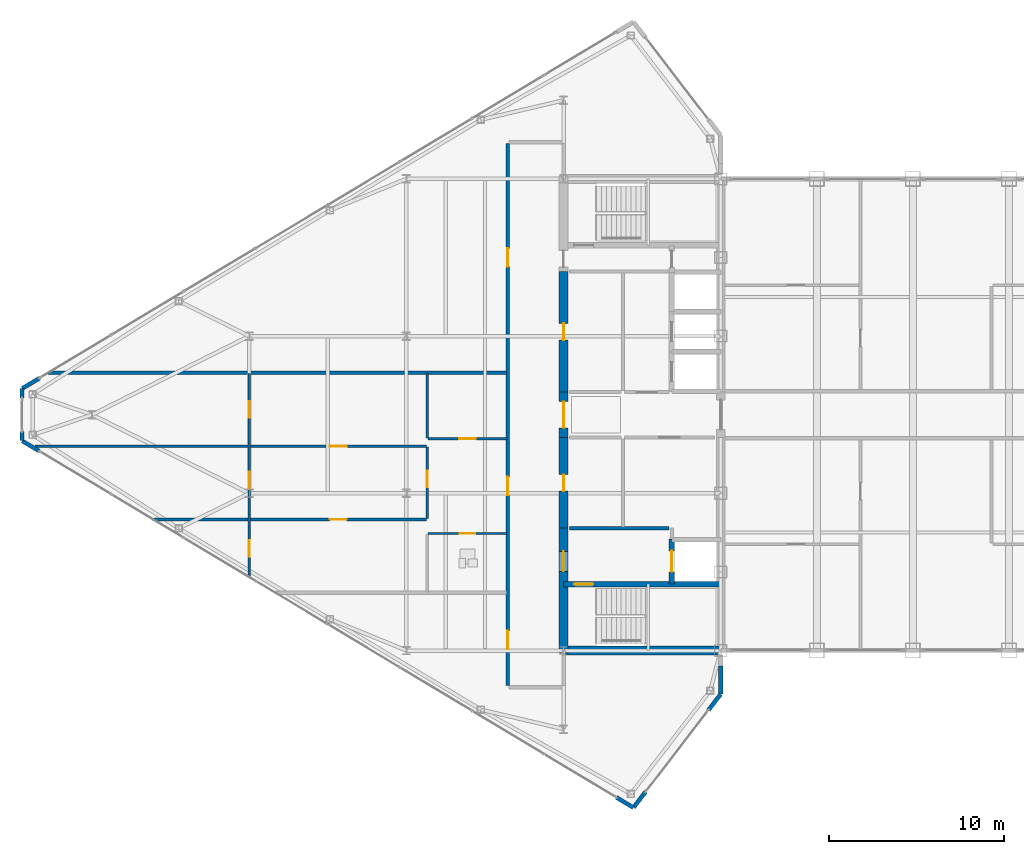
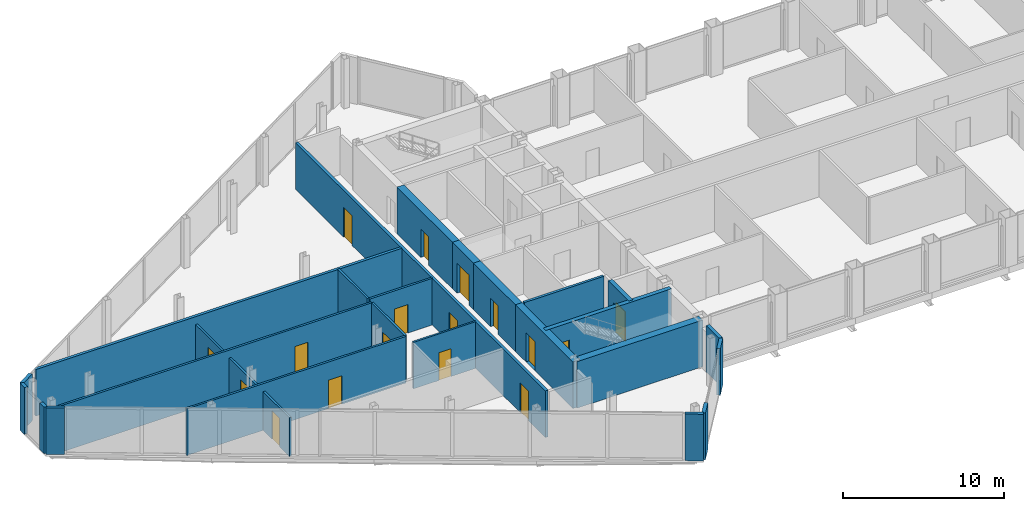
# One storey, part 21 of 29: 25 walls, 17 doors, 17 openings.
"""IFC4 building model written with IfcOpenShell, lengths in metres."""

from ifc_helpers import new_model, si_unit, direction, frame, frame_2d, origin, place, context, subcontext, project, spatial, rectangle, extrude, source, transform, mapped, material, layer, layer_set, type_object, type_shapes, element, fill, save


model = new_model("IFC4")

# Units and contexts
model_context = context("Model", 3, precision=1e-05, world=origin(), true_north=direction((0.0, 1.0)))
body_context = subcontext(model_context, "Body", "Model", "MODEL_VIEW")
ifc_project = project(units=[si_unit("LENGTHUNIT", "METRE"), si_unit("AREAUNIT", "SQUARE_METRE"), si_unit("VOLUMEUNIT", "CUBIC_METRE"), si_unit("PLANEANGLEUNIT", "RADIAN"), si_unit("MASSUNIT", "GRAM", prefix="KILO")], contexts=[model_context])

# Site, building, storey
site_placement = place(None, origin())
site = spatial("IfcSite", under=ifc_project, at=site_placement, CompositionType="ELEMENT")
building_placement = place(site_placement, origin())
building = spatial("IfcBuilding", under=site, at=building_placement, Name="Seokmaru Belvedere", CompositionType="ELEMENT")
storey_placement = place(building_placement, frame((0.0, 0.0, 246.89990234375)))
storey = spatial("IfcBuildingStorey", under=building, at=storey_placement, Name="L65", CompositionType="ELEMENT", Elevation=246.89990234375)

# Wall, opening, door
ifc_material_1 = material(Name="Fire-Rated Gypsum Shaftwall")
ifc_layer_1 = layer(ifc_material_1, 0.14990234375)
ifc_layer_set_1 = layer_set([ifc_layer_1], Name="Fire-Rated Gypsum Shaftwall")
wall_type_1 = type_object("IfcWallType", Name="Apartment Fire-Acoustic Room Partition 150", PredefinedType="PARTITIONING", material=ifc_layer_set_1)
wall_1_placement = place(storey_placement, frame((-60.034912109375, -6.0, 0.0), z_axis=(0.0, 0.0, 1.0), x_axis=(1.0, 0.0, 0.0)))
wall_1 = element("IfcWall", 1, at=wall_1_placement, inside=storey, type_object=wall_type_1, Name="L65 Interior Partition 009", PredefinedType="PARTITIONING", context=body_context, shape_type="SweptSolid", body=[
    extrude(rectangle(XDim=15.684814453125, YDim=0.14990234375, at=frame_2d((7.84228515625, 0.0))), origin(), (0.0, 0.0, 1.0), 3.530029296875),
])
opening_1_placement = place(wall_1_placement, frame((10.159912109375, 0.0, 0.0)))
opening_1 = element("IfcOpeningElement", 2, at=opening_1_placement, cuts=wall_1, Name="Opening D05", PredefinedType="OPENING", context=body_context, shape_type="SweptSolid", body=[
    extrude(rectangle(XDim=0.949951171875, YDim=2.14990234375, at=frame_2d((0.47509765625, 1.074951171875))), frame((0.0, 0.0849609375, 0.0), z_axis=(0.0, -1.0, 0.0), x_axis=(1.0, 0.0, 0.0)), (0.0, 0.0, 1.0), 0.169921875),
])
ifc_material_2 = material(Name="Engineered White Oak Timber", Category="wood")
door_type_1 = type_object("IfcDoorType", Name="Apartment Interior Fire-Rated Oak Door 950x2150", OperationType="NOTDEFINED", PredefinedType="DOOR", material=ifc_material_2)
shared_shape_1 = source(origin(), body_context, "Body", "SweptSolid", [
    extrude(rectangle(XDim=0.949951171875, YDim=2.14990234375, at=frame_2d((0.47509765625, 1.074951171875))), frame((0.0, 0.02490234375, 0.0), z_axis=(0.0, -1.0, 0.0), x_axis=(1.0, 0.0, 0.0)), (0.0, 0.0, 1.0), 0.050048828125),
])
type_shapes(door_type_1, [shared_shape_1])
door_1_placement = place(opening_1_placement, origin())
door_1 = element("IfcDoor", 3, at=door_1_placement, inside=storey, type_object=door_type_1, Name="L65 Interior Door 007", OperationType="SINGLE_SWING_LEFT", OverallHeight=2.14990234375, OverallWidth=0.949951171875, PredefinedType="DOOR", context=body_context, shape_type="MappedRepresentation", body=[
    mapped(shared_shape_1, transform((0.0, 0.0, 0.0), scale=1.0)),
])
fill(opening_1, door_1)

wall_2_placement = place(storey_placement, frame((-66.757080078125, -1.800048828125, 0.0), z_axis=(0.0, 0.0, 1.0), x_axis=(1.0, 0.0, 0.0)))
wall_2 = element("IfcWall", 4, at=wall_2_placement, inside=storey, type_object=wall_type_1, Name="L65 Interior Partition 013", PredefinedType="PARTITIONING", context=body_context, shape_type="SweptSolid", body=[
    extrude(rectangle(XDim=22.406982421875, YDim=0.14990234375, at=frame_2d((11.20361328125, 0.0))), origin(), (0.0, 0.0, 1.0), 3.530029296875),
])
opening_2_placement = place(wall_2_placement, frame((16.882080078125, 0.0, 0.0)))
opening_2 = element("IfcOpeningElement", 5, at=opening_2_placement, cuts=wall_2, Name="Opening D05", PredefinedType="OPENING", context=body_context, shape_type="SweptSolid", body=[
    extrude(rectangle(XDim=0.949951171875, YDim=2.14990234375, at=frame_2d((0.47509765625, 1.074951171875))), frame((0.0, 0.0849609375, 0.0), z_axis=(0.0, -1.0, 0.0), x_axis=(1.0, 0.0, 0.0)), (0.0, 0.0, 1.0), 0.169921875),
])
door_2_placement = place(opening_2_placement, origin())
door_2 = element("IfcDoor", 6, at=door_2_placement, inside=storey, type_object=door_type_1, Name="L65 Interior Door 008", OperationType="SINGLE_SWING_RIGHT", OverallHeight=2.14990234375, OverallWidth=0.949951171875, PredefinedType="DOOR", context=body_context, shape_type="MappedRepresentation", body=[
    mapped(shared_shape_1, transform((0.0, 0.0, 0.0), scale=1.0)),
])
fill(opening_2, door_2)

wall_3_placement = place(storey_placement, frame((-44.25, -1.3798828125, 0.0), z_axis=(0.0, 0.0, 1.0), x_axis=(1.0, 0.0, 0.0)))
wall_3 = element("IfcWall", 7, at=wall_3_placement, inside=storey, type_object=wall_type_1, Name="L65 Interior Partition 014", PredefinedType="PARTITIONING", context=body_context, shape_type="SweptSolid", body=[
    extrude(rectangle(XDim=4.5, YDim=0.14990234375, at=frame_2d((2.25, 0.0))), origin(), (0.0, 0.0, 1.0), 3.530029296875),
])
opening_3_placement = place(wall_3_placement, frame((1.77490234375, 0.0, 0.0)))
opening_3 = element("IfcOpeningElement", 8, at=opening_3_placement, cuts=wall_3, Name="Opening D05", PredefinedType="OPENING", context=body_context, shape_type="SweptSolid", body=[
    extrude(rectangle(XDim=0.949951171875, YDim=2.14990234375, at=frame_2d((0.47509765625, 1.074951171875))), frame((0.0, 0.0849609375, 0.0), z_axis=(0.0, -1.0, 0.0), x_axis=(1.0, 0.0, 0.0)), (0.0, 0.0, 1.0), 0.169921875),
])
door_3_placement = place(opening_3_placement, origin())
door_3 = element("IfcDoor", 9, at=door_3_placement, inside=storey, type_object=door_type_1, Name="L65 Interior Door 004", OperationType="SINGLE_SWING_LEFT", OverallHeight=2.14990234375, OverallWidth=0.949951171875, PredefinedType="DOOR", context=body_context, shape_type="MappedRepresentation", body=[
    mapped(shared_shape_1, transform((0.0, 0.0, 0.0), scale=1.0)),
])
fill(opening_3, door_3)

# Wall, openings, doors
wall_4_placement = place(storey_placement, frame((-54.5, -9.3349609375, 0.0), z_axis=(0.0, 0.0, 1.0), x_axis=(0.0, 1.0, 0.0)))
wall_4 = element("IfcWall", 10, at=wall_4_placement, inside=storey, type_object=wall_type_1, Name="L65 Interior Partition 027", PredefinedType="PARTITIONING", context=body_context, shape_type="SweptSolid", body=[
    extrude(rectangle(XDim=11.68505859375, YDim=0.14990234375, at=frame_2d((5.842529296875, 0.0))), origin(), (0.0, 0.0, 1.0), 2.93017578125),
])
opening_4_placement = place(wall_4_placement, frame((5.106689453125, 0.0, 0.0)))
opening_4 = element("IfcOpeningElement", 11, at=opening_4_placement, cuts=wall_4, Name="Opening D05", PredefinedType="OPENING", context=body_context, shape_type="SweptSolid", body=[
    extrude(rectangle(XDim=0.949951171875, YDim=2.14990234375, at=frame_2d((0.47509765625, 1.074951171875))), frame((0.0, 0.0849609375, 0.0), z_axis=(0.0, -1.0, 0.0), x_axis=(1.0, 0.0, 0.0)), (0.0, 0.0, 1.0), 0.169921875),
])
opening_5_placement = place(wall_4_placement, frame((1.2099609375, 0.0, 0.0)))
opening_5 = element("IfcOpeningElement", 12, at=opening_5_placement, cuts=wall_4, Name="Opening D05", PredefinedType="OPENING", context=body_context, shape_type="SweptSolid", body=[
    extrude(rectangle(XDim=0.949951171875, YDim=2.14990234375, at=frame_2d((0.47509765625, 1.074951171875))), frame((0.0, 0.0849609375, 0.0), z_axis=(0.0, -1.0, 0.0), x_axis=(1.0, 0.0, 0.0)), (0.0, 0.0, 1.0), 0.169921875),
])
opening_6_placement = place(wall_4_placement, frame((9.159912109375, 0.0, 0.0)))
opening_6 = element("IfcOpeningElement", 13, at=opening_6_placement, cuts=wall_4, Name="Opening D05", PredefinedType="OPENING", context=body_context, shape_type="SweptSolid", body=[
    extrude(rectangle(XDim=0.949951171875, YDim=2.14990234375, at=frame_2d((0.47509765625, 1.074951171875))), frame((0.0, 0.0849609375, 0.0), z_axis=(0.0, -1.0, 0.0), x_axis=(1.0, 0.0, 0.0)), (0.0, 0.0, 1.0), 0.169921875),
])
door_4_placement = place(opening_4_placement, origin())
door_4 = element("IfcDoor", 14, at=door_4_placement, inside=storey, type_object=door_type_1, Name="L65 Interior Door 006", OperationType="SINGLE_SWING_LEFT", OverallHeight=2.14990234375, OverallWidth=0.949951171875, PredefinedType="DOOR", context=body_context, shape_type="MappedRepresentation", body=[
    mapped(shared_shape_1, transform((0.0, 0.0, 0.0), scale=1.0)),
])
fill(opening_4, door_4)
door_5_placement = place(opening_5_placement, origin())
door_5 = element("IfcDoor", 15, at=door_5_placement, inside=storey, type_object=door_type_1, Name="L65 Interior Door 009", OperationType="SINGLE_SWING_RIGHT", OverallHeight=2.14990234375, OverallWidth=0.949951171875, PredefinedType="DOOR", context=body_context, shape_type="MappedRepresentation", body=[
    mapped(shared_shape_1, transform((0.0, 0.0, 0.0), scale=1.0)),
])
fill(opening_5, door_5)
door_6_placement = place(opening_6_placement, origin())
door_6 = element("IfcDoor", 16, at=door_6_placement, inside=storey, type_object=door_type_1, Name="L65 Interior Door 010", OperationType="SINGLE_SWING_LEFT", OverallHeight=2.14990234375, OverallWidth=0.949951171875, PredefinedType="DOOR", context=body_context, shape_type="MappedRepresentation", body=[
    mapped(shared_shape_1, transform((0.0, 0.0, 0.0), scale=1.0)),
])
fill(opening_6, door_6)

# Wall, opening, door
wall_5_placement = place(storey_placement, frame((-44.300048828125, -5.949951171875, 0.0), z_axis=(0.0, 0.0, 1.0), x_axis=(0.0, 1.0, 0.0)))
wall_5 = element("IfcWall", 17, at=wall_5_placement, inside=storey, type_object=wall_type_1, Name="L65 Interior Partition 029", PredefinedType="PARTITIONING", context=body_context, shape_type="SweptSolid", body=[
    extrude(rectangle(XDim=4.099853515625, YDim=0.14990234375, at=frame_2d((2.0498046875, 0.0))), origin(), (0.0, 0.0, 1.0), 3.530029296875),
])
opening_7_placement = place(wall_5_placement, frame((1.79833984375, 0.0, 0.0)))
opening_7 = element("IfcOpeningElement", 18, at=opening_7_placement, cuts=wall_5, Name="Opening D05", PredefinedType="OPENING", context=body_context, shape_type="SweptSolid", body=[
    extrude(rectangle(XDim=0.949951171875, YDim=2.14990234375, at=frame_2d((0.47509765625, 1.074951171875))), frame((0.0, 0.0849609375, 0.0), z_axis=(0.0, -1.0, 0.0), x_axis=(1.0, 0.0, 0.0)), (0.0, 0.0, 1.0), 0.169921875),
])
door_7_placement = place(opening_7_placement, origin())
door_7 = element("IfcDoor", 19, at=door_7_placement, inside=storey, type_object=door_type_1, Name="L65 Interior Door 005", OperationType="SINGLE_SWING_RIGHT", OverallHeight=2.14990234375, OverallWidth=0.949951171875, PredefinedType="DOOR", context=body_context, shape_type="MappedRepresentation", body=[
    mapped(shared_shape_1, transform((0.0, 0.0, 0.0), scale=1.0)),
])
fill(opening_7, door_7)

# Walls
wall_6_placement = place(storey_placement, frame((-44.300048828125, -1.327880859375, 0.0), z_axis=(0.0, 0.0, 1.0), x_axis=(0.0, 1.0, 0.0)))
element("IfcWall", 20, at=wall_6_placement, inside=storey, type_object=wall_type_1, Name="L65 Interior Partition 030", PredefinedType="PARTITIONING", context=body_context, shape_type="SweptSolid", body=[
    extrude(rectangle(XDim=3.677978515625, YDim=0.14990234375, at=frame_2d((1.8388671875, 0.0))), origin(), (0.0, 0.0, 1.0), 3.530029296875),
])
ifc_layer_2 = layer(ifc_material_1, 0.179931640625)
ifc_layer_set_2 = layer_set([ifc_layer_2], Name="Fire-Rated Gypsum Shaftwall")
wall_type_2 = type_object("IfcWallType", Name="Core Service Fire Partition 180", PredefinedType="PARTITIONING", material=ifc_layer_set_2)
wall_7_placement = place(storey_placement, frame((-36.14990234375, -6.5, 0.0), z_axis=(0.0, 0.0, 1.0), x_axis=(1.0, 0.0, 0.0)))
element("IfcWall", 21, at=wall_7_placement, inside=storey, type_object=wall_type_2, Name="L65 West Firefighting Lobby Partition", PredefinedType="PARTITIONING", context=body_context, shape_type="SweptSolid", body=[
    extrude(rectangle(XDim=5.699951171875, YDim=0.179931640625, at=frame_2d((2.85009765625, 0.0))), origin(), (0.0, 0.0, 1.0), 3.530029296875),
])
ifc_layer_3 = layer(ifc_material_1, 0.199951171875)
ifc_layer_set_3 = layer_set([ifc_layer_3], Name="Fire-Rated Gypsum Shaftwall")
wall_type_3 = type_object("IfcWallType", Name="Inter-Tenancy Fire Compartment Partition 200", PredefinedType="PARTITIONING", material=ifc_layer_set_3)
wall_8_placement = place(storey_placement, frame((-66.010009765625, 2.39990234375, 0.0), z_axis=(0.0, 0.0, 1.0), x_axis=(1.0, 0.0, 0.0)))
element("IfcWall", 22, at=wall_8_placement, inside=storey, type_object=wall_type_3, Name="L65 Interior Partition 019", PredefinedType="PARTITIONING", context=body_context, shape_type="SweptSolid", body=[
    extrude(rectangle(XDim=26.22998046875, YDim=0.199951171875, at=frame_2d((13.114990234375, 0.0))), origin(), (0.0, 0.0, 1.0), 3.530029296875),
])

# Wall, openings, doors
wall_9_placement = place(storey_placement, frame((-39.699951171875, -15.514892578125, 0.0), z_axis=(0.0, 0.0, 1.0), x_axis=(0.0, 1.0, 0.0)))
wall_9 = element("IfcWall", 23, at=wall_9_placement, inside=storey, type_object=wall_type_3, Name="L65 Interior Partition 031", PredefinedType="PARTITIONING", context=body_context, shape_type="SweptSolid", body=[
    extrude(rectangle(XDim=31.02978515625, YDim=0.199951171875, at=frame_2d((15.514892578125, 0.0))), origin(), (0.0, 0.0, 1.0), 3.530029296875),
])
opening_8_placement = place(wall_9_placement, frame((2.090087890625, 0.0, 0.0)))
opening_8 = element("IfcOpeningElement", 24, at=opening_8_placement, cuts=wall_9, Name="Opening D03", PredefinedType="OPENING", context=body_context, shape_type="SweptSolid", body=[
    extrude(rectangle(XDim=1.050048828125, YDim=2.25, at=frame_2d((0.52490234375, 1.125))), frame((0.0, 0.10986328125, 0.0), z_axis=(0.0, -1.0, 0.0), x_axis=(1.0, 0.0, 0.0)), (0.0, 0.0, 1.0), 0.219970703125),
])
opening_9_placement = place(wall_9_placement, frame((10.90087890625, 0.0, 0.0)))
opening_9 = element("IfcOpeningElement", 25, at=opening_9_placement, cuts=wall_9, Name="Opening D03", PredefinedType="OPENING", context=body_context, shape_type="SweptSolid", body=[
    extrude(rectangle(XDim=1.050048828125, YDim=2.25, at=frame_2d((0.52490234375, 1.125))), frame((0.0, 0.10986328125, 0.0), z_axis=(0.0, -1.0, 0.0), x_axis=(1.0, 0.0, 0.0)), (0.0, 0.0, 1.0), 0.219970703125),
])
opening_10_placement = place(wall_9_placement, frame((23.989990234375, 0.0, 0.0)))
opening_10 = element("IfcOpeningElement", 26, at=opening_10_placement, cuts=wall_9, Name="Opening D03", PredefinedType="OPENING", context=body_context, shape_type="SweptSolid", body=[
    extrude(rectangle(XDim=1.050048828125, YDim=2.25, at=frame_2d((0.52490234375, 1.125))), frame((0.0, 0.10986328125, 0.0), z_axis=(0.0, -1.0, 0.0), x_axis=(1.0, 0.0, 0.0)), (0.0, 0.0, 1.0), 0.219970703125),
])
ifc_material_3 = material(Name="Fire-Rated Steel Leaf", Category="steel")
door_type_2 = type_object("IfcDoorType", Name="Apartment Entrance Fire Door 1050x2250", OperationType="NOTDEFINED", PredefinedType="DOOR", material=ifc_material_3)
shared_shape_2 = source(origin(), body_context, "Body", "SweptSolid", [
    extrude(rectangle(XDim=1.050048828125, YDim=2.25, at=frame_2d((0.52490234375, 1.125))), frame((0.0, 0.02490234375, 0.0), z_axis=(0.0, -1.0, 0.0), x_axis=(1.0, 0.0, 0.0)), (0.0, 0.0, 1.0), 0.050048828125),
])
type_shapes(door_type_2, [shared_shape_2])
door_8_placement = place(opening_8_placement, origin())
door_8 = element("IfcDoor", 27, at=door_8_placement, inside=storey, type_object=door_type_2, Name="L65 Interior Door 001", OperationType="SINGLE_SWING_RIGHT", OverallHeight=2.25, OverallWidth=1.050048828125, PredefinedType="DOOR", context=body_context, shape_type="MappedRepresentation", body=[
    mapped(shared_shape_2, transform((0.0, 0.0, 0.0), scale=1.0)),
])
fill(opening_8, door_8)
door_9_placement = place(opening_9_placement, origin())
door_9 = element("IfcDoor", 28, at=door_9_placement, inside=storey, type_object=door_type_2, Name="L65 Interior Door 002", OperationType="SINGLE_SWING_LEFT", OverallHeight=2.25, OverallWidth=1.050048828125, PredefinedType="DOOR", context=body_context, shape_type="MappedRepresentation", body=[
    mapped(shared_shape_2, transform((0.0, 0.0, 0.0), scale=1.0)),
])
fill(opening_9, door_9)
door_10_placement = place(opening_10_placement, origin())
door_10 = element("IfcDoor", 29, at=door_10_placement, inside=storey, type_object=door_type_2, Name="L65 Interior Door 011", OperationType="SINGLE_SWING_RIGHT", OverallHeight=2.25, OverallWidth=1.050048828125, PredefinedType="DOOR", context=body_context, shape_type="MappedRepresentation", body=[
    mapped(shared_shape_2, transform((0.0, 0.0, 0.0), scale=1.0)),
])
fill(opening_10, door_10)

# Wall, opening, door
ifc_material_4 = material(Name="Concrete C50 (50 MPa)", Category="concrete")
ifc_layer_4 = layer(ifc_material_4, 0.300048828125)
ifc_layer_set_4 = layer_set([ifc_layer_4], Name="Concrete C50 (50 MPa)")
wall_type_4 = type_object("IfcWallType", Name="Internal Core Stair and Hoistway Wall 300", PredefinedType="SHEAR", material=ifc_layer_set_4)
wall_10_placement = place(storey_placement, frame((-36.5, -9.699951171875, 0.0), z_axis=(0.0, 0.0, 1.0), x_axis=(1.0, 0.0, 0.0)))
wall_10 = element("IfcWall", 30, at=wall_10_placement, inside=storey, type_object=wall_type_4, Name="L65 West Stair ST-1 Enclosure Wall", PredefinedType="SHEAR", context=body_context, shape_type="SweptSolid", body=[
    extrude(rectangle(XDim=9.0, YDim=0.300048828125, at=frame_2d((4.5, 0.0))), origin(), (0.0, 0.0, 1.0), 3.530029296875),
])
opening_11_placement = place(wall_10_placement, frame((0.60009765625, 0.0, 0.0)))
opening_11 = element("IfcOpeningElement", 31, at=opening_11_placement, cuts=wall_10, Name="Opening D01", PredefinedType="OPENING", context=body_context, shape_type="SweptSolid", body=[
    extrude(rectangle(XDim=1.10009765625, YDim=2.199951171875, at=frame_2d((0.550048828125, 1.10009765625))), frame((0.0, 0.16015625, 0.0), z_axis=(0.0, -1.0, 0.0), x_axis=(1.0, 0.0, 0.0)), (0.0, 0.0, 1.0), 0.320068359375),
])
door_type_3 = type_object("IfcDoorType", Name="Special Escape Stair Smokeproof Fire Door 1100x2200", OperationType="NOTDEFINED", PredefinedType="DOOR", material=ifc_material_3)
shared_shape_3 = source(origin(), body_context, "Body", "SweptSolid", [
    extrude(rectangle(XDim=1.10009765625, YDim=2.199951171875, at=frame_2d((0.550048828125, 1.10009765625))), frame((0.0, 0.02490234375, 0.0), z_axis=(0.0, -1.0, 0.0), x_axis=(1.0, 0.0, 0.0)), (0.0, 0.0, 1.0), 0.050048828125),
])
type_shapes(door_type_3, [shared_shape_3])
door_11_placement = place(opening_11_placement, frame((1.10009765625, 0.0, 0.0), z_axis=(0.0, 0.0, 1.0), x_axis=(-1.0, 0.0, 0.0)))
door_11 = element("IfcDoor", 32, at=door_11_placement, inside=storey, type_object=door_type_3, Name="L65 West Special Escape Stair ST-1 Door", OperationType="SINGLE_SWING_LEFT", OverallHeight=2.199951171875, OverallWidth=1.10009765625, PredefinedType="DOOR", context=body_context, shape_type="MappedRepresentation", body=[
    mapped(shared_shape_3, transform((0.0, 0.0, 0.0), scale=1.0)),
])
fill(opening_11, door_11)

wall_11_placement = place(storey_placement, frame((-30.300048828125, -9.679931640625, 0.0), z_axis=(0.0, 0.0, 1.0), x_axis=(0.0, 1.0, 0.0)))
wall_11 = element("IfcWall", 33, at=wall_11_placement, inside=storey, type_object=wall_type_4, Name="L65 West Firefighting Lift Shaft Front Wall", PredefinedType="SHEAR", context=body_context, shape_type="SweptSolid", body=[
    extrude(rectangle(XDim=2.559814453125, YDim=0.300048828125, at=frame_2d((1.27978515625, 0.0))), origin(), (0.0, 0.0, 1.0), 3.530029296875),
])
opening_12_placement = place(wall_11_placement, frame((0.679931640625, 0.0, 0.0)))
opening_12 = element("IfcOpeningElement", 34, at=opening_12_placement, cuts=wall_11, Name="Opening LD2", PredefinedType="OPENING", context=body_context, shape_type="SweptSolid", body=[
    extrude(rectangle(XDim=1.199951171875, YDim=2.25, at=frame_2d((0.60009765625, 1.125))), frame((0.0, 0.16015625, 0.0), z_axis=(0.0, -1.0, 0.0), x_axis=(1.0, 0.0, 0.0)), (0.0, 0.0, 1.0), 0.320068359375),
])
ifc_material_5 = material(Name="Stainless Steel 316", Category="steel")
door_type_4 = type_object("IfcDoorType", Name="Firefighting Lift Sliding Landing Door 1200x2250", OperationType="DOUBLE_DOOR_SLIDING", PredefinedType="DOOR", material=ifc_material_5)
shared_shape_4 = source(origin(), body_context, "Body", "SweptSolid", [
    extrude(rectangle(XDim=1.199951171875, YDim=2.25, at=frame_2d((0.60009765625, 1.125))), frame((0.0, 0.02490234375, 0.0), z_axis=(0.0, -1.0, 0.0), x_axis=(1.0, 0.0, 0.0)), (0.0, 0.0, 1.0), 0.050048828125),
])
type_shapes(door_type_4, [shared_shape_4])
door_12_placement = place(opening_12_placement, origin())
door_12 = element("IfcDoor", 35, at=door_12_placement, inside=storey, type_object=door_type_4, Name="L65 West Firefighting Lift Landing Door", OperationType="DOUBLE_DOOR_SLIDING", OverallHeight=2.25, OverallWidth=1.199951171875, PredefinedType="DOOR", context=body_context, shape_type="MappedRepresentation", body=[
    mapped(shared_shape_4, transform((0.0, 0.0, 0.0), scale=1.0)),
])
fill(opening_12, door_12)

ifc_layer_5 = layer(ifc_material_1, 0.1298828125)
ifc_layer_set_5 = layer_set([ifc_layer_5], Name="Fire-Rated Gypsum Shaftwall")
wall_type_5 = type_object("IfcWallType", Name="Moisture-Resistant Fire-Rated Bathroom Partition 130", PredefinedType="PARTITIONING", material=ifc_layer_set_5)
wall_12_placement = place(storey_placement, frame((-44.25, -6.800048828125, 0.0), z_axis=(0.0, 0.0, 1.0), x_axis=(1.0, 0.0, 0.0)))
wall_12 = element("IfcWall", 36, at=wall_12_placement, inside=storey, type_object=wall_type_5, Name="L65 Interior Partition 008", PredefinedType="PARTITIONING", context=body_context, shape_type="SweptSolid", body=[
    extrude(rectangle(XDim=4.5, YDim=0.1298828125, at=frame_2d((2.25, 0.0))), origin(), (0.0, 0.0, 1.0), 3.530029296875),
])
opening_13_placement = place(wall_12_placement, frame((1.81005859375, 0.0, 0.0)))
opening_13 = element("IfcOpeningElement", 37, at=opening_13_placement, cuts=wall_12, Name="Opening D06", PredefinedType="OPENING", context=body_context, shape_type="SweptSolid", body=[
    extrude(rectangle(XDim=0.8798828125, YDim=2.10009765625, at=frame_2d((0.43994140625, 1.050048828125))), frame((0.0, 0.074951171875, 0.0), z_axis=(0.0, -1.0, 0.0), x_axis=(1.0, 0.0, 0.0)), (0.0, 0.0, 1.0), 0.14990234375),
])
door_type_5 = type_object("IfcDoorType", Name="Bathroom and Restroom Fire-Rated Door 880x2100", OperationType="NOTDEFINED", PredefinedType="DOOR", material=ifc_material_2)
shared_shape_5 = source(origin(), body_context, "Body", "SweptSolid", [
    extrude(rectangle(XDim=0.8798828125, YDim=2.10009765625, at=frame_2d((0.43994140625, 1.050048828125))), frame((0.0, 0.02490234375, 0.0), z_axis=(0.0, -1.0, 0.0), x_axis=(1.0, 0.0, 0.0)), (0.0, 0.0, 1.0), 0.050048828125),
])
type_shapes(door_type_5, [shared_shape_5])
door_13_placement = place(opening_13_placement, origin())
door_13 = element("IfcDoor", 38, at=door_13_placement, inside=storey, type_object=door_type_5, Name="L65 Interior Door 003", OperationType="SINGLE_SWING_LEFT", OverallHeight=2.10009765625, OverallWidth=0.8798828125, PredefinedType="DOOR", context=body_context, shape_type="MappedRepresentation", body=[
    mapped(shared_shape_5, transform((0.0, 0.0, 0.0), scale=1.0)),
])
fill(opening_13, door_13)

# Walls
ifc_material_6 = material(Name="Anodised Bronze Aluminium", Category="aluminium")
ifc_layer_6 = layer(ifc_material_6, 0.239990234375)
ifc_layer_set_6 = layer_set([ifc_layer_6], Name="Anodised Bronze Aluminium")
wall_type_6 = type_object("IfcWallType", Name="Tower Corner Spandrel Closure Wall 240", PredefinedType="SOLIDWALL", material=ifc_layer_set_6)
wall_13_placement = place(storey_placement, frame((-27.5, -15.97998046875, 0.0), z_axis=(0.0, 0.0, 1.0), x_axis=(0.0, 1.0, 0.0)))
element("IfcWall", 39, at=wall_13_placement, inside=storey, type_object=wall_type_6, Name="L65 W Shoulder Closure Wall 1", PredefinedType="SOLIDWALL", context=body_context, shape_type="SweptSolid", body=[
    extrude(rectangle(XDim=1.605224609375, YDim=0.239990234375, at=frame_2d((0.802734375, 0.0))), origin(), (0.0, 0.0, 1.0), 3.530029296875),
])
wall_14_placement = place(storey_placement, frame((-66.513916015625, 2.091796875, 0.0), z_axis=(0.0, 0.0, 1.0), x_axis=(-0.85743623509, -0.514590228002, 0.0)))
element("IfcWall", 40, at=wall_14_placement, inside=storey, type_object=wall_type_6, Name="L65 W Corner Closure Pier 3B", PredefinedType="SOLIDWALL", context=body_context, shape_type="SweptSolid", body=[
    extrude(rectangle(XDim=1.14013671875, YDim=0.239990234375, at=frame_2d((0.570068359375, 0.0))), origin(), (0.0, 0.0, 1.0), 3.530029296875),
])
for number, where, z_axis, x_axis, name in (
    (41, (-67.5, 1.489990234375, 0.0), (0.0, 0.0, 1.0), (0.0, -1.0, 0.0), "L65 W Apex Closure Pier 4A"),
    (42, (-67.5, -0.949951171875, 0.0), (0.0, 0.0, 1.0), (0.0, -1.0, 0.0), "L65 W Apex Closure Pier 4B"),
):
    element("IfcWall", number, at=place(storey_placement, frame(where, z_axis=z_axis, x_axis=x_axis)), inside=storey, type_object=wall_type_6, Name=name, PredefinedType="SOLIDWALL", context=body_context, shape_type="SweptSolid", body=[
        extrude(rectangle(XDim=0.5400390625, YDim=0.239990234375, at=frame_2d((0.27001953125, 0.0))), origin(), (0.0, 0.0, 1.0), 3.530029296875),
    ])
for number, where, z_axis, x_axis, name in (
    (43, (-67.491455078125, -1.505126953125, 0.0), (0.0, 0.0, 1.0), (0.85743623509, -0.514590228002, 0.0), "L65 W Corner Closure Pier 5A"),
    (44, (-33.486083984375, -21.908203125, 0.0), (0.0, 0.0, 1.0), (0.85743623509, -0.514590228002, 0.0), "L65 W Corner Closure Pier 5B"),
    (45, (-32.493896484375, -22.4921875, 0.0), (0.0, 0.0, 1.0), (0.609617623633, 0.792695624408, 0.0), "L65 W Corner Closure Pier 6A"),
    (46, (-28.201171875, -16.91162109375, 0.0), (0.0, 0.0, 1.0), (0.609617623633, 0.792695624408, 0.0), "L65 W Corner Closure Pier 6B"),
):
    element("IfcWall", number, at=place(storey_placement, frame(where, z_axis=z_axis, x_axis=x_axis)), inside=storey, type_object=wall_type_6, Name=name, PredefinedType="SOLIDWALL", context=body_context, shape_type="SweptSolid", body=[
        extrude(rectangle(XDim=1.14013671875, YDim=0.239990234375, at=frame_2d((0.570068359375, 0.0))), origin(), (0.0, 0.0, 1.0), 3.530029296875),
    ])
ifc_layer_7 = layer(ifc_material_4, 0.5)
ifc_layer_set_7 = layer_set([ifc_layer_7], Name="Concrete C50 (50 MPa)")
wall_type_7 = type_object("IfcWallType", Name="Upper Tower Reinforced Concrete Core Wall 500", PredefinedType="SHEAR", material=ifc_layer_set_7)
wall_15_placement = place(storey_placement, frame((-36.5, -13.5, 0.0), z_axis=(0.0, 0.0, 1.0), x_axis=(1.0, 0.0, 0.0)))
element("IfcWall", 47, at=wall_15_placement, inside=storey, type_object=wall_type_7, Name="L65 West South Core Wall", PredefinedType="SHEAR", context=body_context, shape_type="SweptSolid", body=[
    extrude(rectangle(XDim=9.0, YDim=0.5, at=frame_2d((4.5, 0.0))), origin(), (0.0, 0.0, 1.0), 3.530029296875),
])

# Wall, opening, door
wall_16_placement = place(storey_placement, frame((-36.5, -13.64990234375, 0.0), z_axis=(0.0, 0.0, 1.0), x_axis=(0.0, 1.0, 0.0)))
wall_16 = element("IfcWall", 48, at=wall_16_placement, inside=storey, type_object=wall_type_7, Name="L65 West West Core Wall FF", PredefinedType="SHEAR", context=body_context, shape_type="SweptSolid", body=[
    extrude(rectangle(XDim=7.14990234375, YDim=0.5, at=frame_2d((3.574951171875, 0.0))), origin(), (0.0, 0.0, 1.0), 3.530029296875),
])
opening_14_placement = place(wall_16_placement, frame((4.675048828125, 0.0, 0.0)))
opening_14 = element("IfcOpeningElement", 49, at=opening_14_placement, cuts=wall_16, Name="Opening D02", PredefinedType="OPENING", context=body_context, shape_type="SweptSolid", body=[
    extrude(rectangle(XDim=1.14990234375, YDim=2.199951171875, at=frame_2d((0.574951171875, 1.10009765625))), frame((0.0, 0.260009765625, 0.0), z_axis=(0.0, -1.0, 0.0), x_axis=(1.0, 0.0, 0.0)), (0.0, 0.0, 1.0), 0.52001953125),
])
door_type_6 = type_object("IfcDoorType", Name="Lobby and Vestibule Fire Door 1150x2200", OperationType="NOTDEFINED", PredefinedType="DOOR", material=ifc_material_3)
shared_shape_6 = source(origin(), body_context, "Body", "SweptSolid", [
    extrude(rectangle(XDim=1.14990234375, YDim=2.199951171875, at=frame_2d((0.574951171875, 1.10009765625))), frame((0.0, 0.02490234375, 0.0), z_axis=(0.0, -1.0, 0.0), x_axis=(1.0, 0.0, 0.0)), (0.0, 0.0, 1.0), 0.050048828125),
])
type_shapes(door_type_6, [shared_shape_6])
door_14_placement = place(opening_14_placement, frame((1.14990234375, 0.0, 0.0), z_axis=(0.0, 0.0, 1.0), x_axis=(-1.0, 0.0, 0.0)))
door_14 = element("IfcDoor", 50, at=door_14_placement, inside=storey, type_object=door_type_6, Name="L65 West Firefighting Lobby Door", OperationType="SINGLE_SWING_LEFT", OverallHeight=2.199951171875, OverallWidth=1.14990234375, PredefinedType="DOOR", context=body_context, shape_type="MappedRepresentation", body=[
    mapped(shared_shape_6, transform((0.0, 0.0, 0.0), scale=1.0)),
])
fill(opening_14, door_14)

wall_17_placement = place(storey_placement, frame((-36.5, -1.300048828125, 0.0), z_axis=(0.0, 0.0, 1.0), x_axis=(0.0, 1.0, 0.0)))
wall_17 = element("IfcWall", 51, at=wall_17_placement, inside=storey, type_object=wall_type_7, Name="L65 West West Core Wall FOY", PredefinedType="SHEAR", context=body_context, shape_type="SweptSolid", body=[
    extrude(rectangle(XDim=2.60009765625, YDim=0.5, at=frame_2d((1.300048828125, 0.0))), origin(), (0.0, 0.0, 1.0), 3.530029296875),
])
opening_15_placement = place(wall_17_placement, frame((0.550048828125, 0.0, 0.0)))
opening_15 = element("IfcOpeningElement", 52, at=opening_15_placement, cuts=wall_17, Name="Opening D08", PredefinedType="OPENING", context=body_context, shape_type="SweptSolid", body=[
    extrude(rectangle(XDim=1.5, YDim=2.300048828125, at=frame_2d((0.75, 1.14990234375))), frame((0.0, 0.260009765625, 0.0), z_axis=(0.0, -1.0, 0.0), x_axis=(1.0, 0.0, 0.0)), (0.0, 0.0, 1.0), 0.52001953125),
])
door_type_7 = type_object("IfcDoorType", Name="Cross-Corridor Compartment Double Fire Door 1500x2300", OperationType="DOUBLE_SWING_LEFT", PredefinedType="DOOR", material=ifc_material_3)
shared_shape_7 = source(origin(), body_context, "Body", "SweptSolid", [
    extrude(rectangle(XDim=1.5, YDim=2.300048828125, at=frame_2d((0.75, 1.14990234375))), frame((0.0, 0.02490234375, 0.0), z_axis=(0.0, -1.0, 0.0), x_axis=(1.0, 0.0, 0.0)), (0.0, 0.0, 1.0), 0.050048828125),
])
type_shapes(door_type_7, [shared_shape_7])
door_15_placement = place(opening_15_placement, origin())
door_15 = element("IfcDoor", 53, at=door_15_placement, inside=storey, type_object=door_type_7, Name="L65 West Core Foyer Compartment Door", OperationType="DOUBLE_SWING_LEFT", OverallHeight=2.300048828125, OverallWidth=1.5, PredefinedType="DOOR", context=body_context, shape_type="MappedRepresentation", body=[
    mapped(shared_shape_7, transform((0.0, 0.0, 0.0), scale=1.0)),
])
fill(opening_15, door_15)

wall_18_placement = place(storey_placement, frame((-36.5, -6.5, 0.0), z_axis=(0.0, 0.0, 1.0), x_axis=(0.0, 1.0, 0.0)))
wall_18 = element("IfcWall", 54, at=wall_18_placement, inside=storey, type_object=wall_type_7, Name="L65 West West Core Wall CS1", PredefinedType="SHEAR", context=body_context, shape_type="SweptSolid", body=[
    extrude(rectangle(XDim=5.199951171875, YDim=0.5, at=frame_2d((2.60009765625, 0.0))), origin(), (0.0, 0.0, 1.0), 3.530029296875),
])
opening_16_placement = place(wall_18_placement, frame((2.125, 0.0, 0.0)))
opening_16 = element("IfcOpeningElement", 55, at=opening_16_placement, cuts=wall_18, Name="Opening D04", PredefinedType="OPENING", context=body_context, shape_type="SweptSolid", body=[
    extrude(rectangle(XDim=0.949951171875, YDim=2.14990234375, at=frame_2d((0.47509765625, 1.074951171875))), frame((0.0, 0.260009765625, 0.0), z_axis=(0.0, -1.0, 0.0), x_axis=(1.0, 0.0, 0.0)), (0.0, 0.0, 1.0), 0.52001953125),
])
door_type_8 = type_object("IfcDoorType", Name="Core Service Room Fire Door 950x2150", OperationType="NOTDEFINED", PredefinedType="DOOR", material=ifc_material_3)
shared_shape_8 = source(origin(), body_context, "Body", "SweptSolid", [
    extrude(rectangle(XDim=0.949951171875, YDim=2.14990234375, at=frame_2d((0.47509765625, 1.074951171875))), frame((0.0, 0.02490234375, 0.0), z_axis=(0.0, -1.0, 0.0), x_axis=(1.0, 0.0, 0.0)), (0.0, 0.0, 1.0), 0.050048828125),
])
type_shapes(door_type_8, [shared_shape_8])
door_16_placement = place(opening_16_placement, origin())
door_16 = element("IfcDoor", 56, at=door_16_placement, inside=storey, type_object=door_type_8, Name="L65 West Core Service Room Door 1", OperationType="SINGLE_SWING_LEFT", OverallHeight=2.14990234375, OverallWidth=0.949951171875, PredefinedType="DOOR", context=body_context, shape_type="MappedRepresentation", body=[
    mapped(shared_shape_8, transform((0.0, 0.0, 0.0), scale=1.0)),
])
fill(opening_16, door_16)

wall_19_placement = place(storey_placement, frame((-36.5, 1.300048828125, 0.0), z_axis=(0.0, 0.0, 1.0), x_axis=(0.0, 1.0, 0.0)))
wall_19 = element("IfcWall", 57, at=wall_19_placement, inside=storey, type_object=wall_type_7, Name="L65 West West Core Wall CS2", PredefinedType="SHEAR", context=body_context, shape_type="SweptSolid", body=[
    extrude(rectangle(XDim=6.89990234375, YDim=0.5, at=frame_2d((3.449951171875, 0.0))), origin(), (0.0, 0.0, 1.0), 3.530029296875),
])
opening_17_placement = place(wall_19_placement, frame((2.97509765625, 0.0, 0.0)))
opening_17 = element("IfcOpeningElement", 58, at=opening_17_placement, cuts=wall_19, Name="Opening D04", PredefinedType="OPENING", context=body_context, shape_type="SweptSolid", body=[
    extrude(rectangle(XDim=0.949951171875, YDim=2.14990234375, at=frame_2d((0.47509765625, 1.074951171875))), frame((0.0, 0.260009765625, 0.0), z_axis=(0.0, -1.0, 0.0), x_axis=(1.0, 0.0, 0.0)), (0.0, 0.0, 1.0), 0.52001953125),
])
door_17_placement = place(opening_17_placement, origin())
door_17 = element("IfcDoor", 59, at=door_17_placement, inside=storey, type_object=door_type_8, Name="L65 West Core Service Room Door 2", OperationType="SINGLE_SWING_RIGHT", OverallHeight=2.14990234375, OverallWidth=0.949951171875, PredefinedType="DOOR", context=body_context, shape_type="MappedRepresentation", body=[
    mapped(shared_shape_8, transform((0.0, 0.0, 0.0), scale=1.0)),
])
fill(opening_17, door_17)

save(model, "model.ifc")
